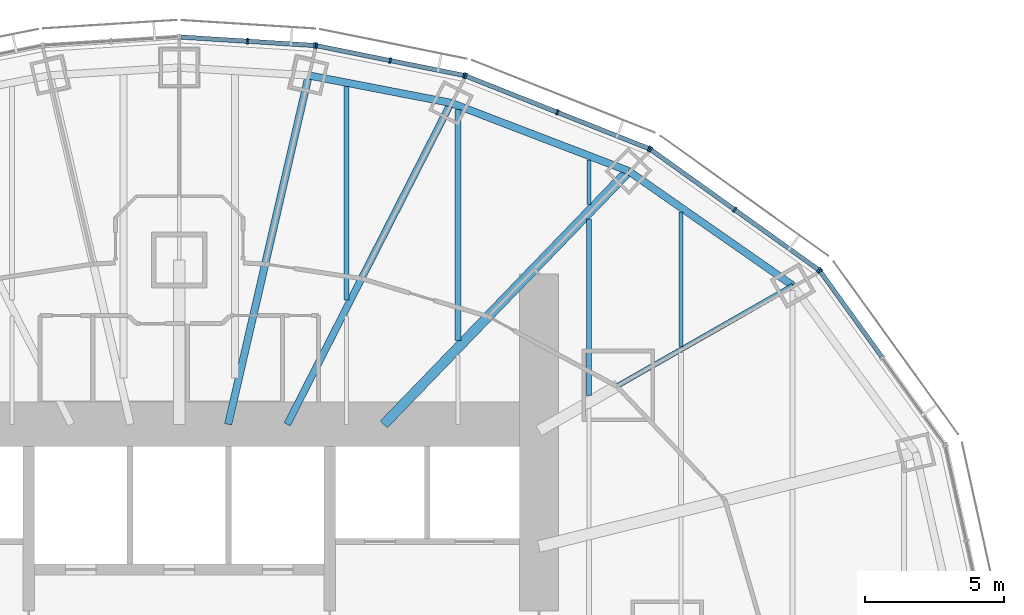
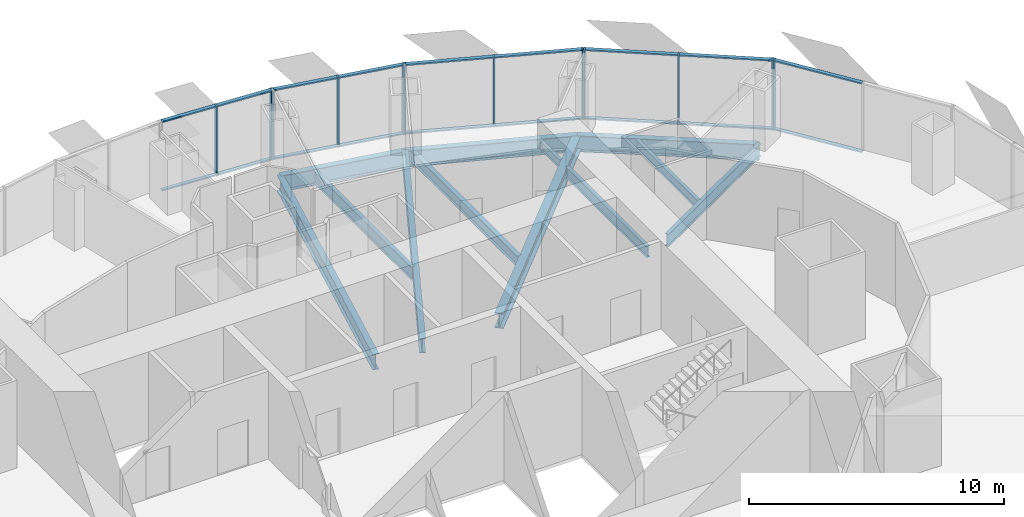
# One storey, part 8 of 18: 30 members, 12 beams, 5 elements without a shape of their own.
"""IFC4 building model written with IfcOpenShell, lengths in metres."""

from ifc_helpers import new_model, si_unit, direction, frame, origin, origin_2d, place, context, subcontext, project, spatial, rectangle, i_section, extrude, material, material_profile, profile_set, type_object, element, aggregate, save


model = new_model("IFC4")

# Units and contexts
model_context = context("Model", 3, precision=1e-05, world=origin(), true_north=direction((0.0, 1.0)))
body_context = subcontext(model_context, "Body", "Model", "MODEL_VIEW")
ifc_project = project(units=[si_unit("LENGTHUNIT", "METRE"), si_unit("AREAUNIT", "SQUARE_METRE"), si_unit("VOLUMEUNIT", "CUBIC_METRE"), si_unit("PLANEANGLEUNIT", "RADIAN"), si_unit("MASSUNIT", "GRAM", prefix="KILO")], contexts=[model_context])

# Site, building, storey
site_placement = place(None, origin())
site = spatial("IfcSite", under=ifc_project, at=site_placement, CompositionType="ELEMENT")
building_placement = place(site_placement, origin())
building = spatial("IfcBuilding", under=site, at=building_placement, Name="Lantaw Convention Tower", CompositionType="ELEMENT")
storey_placement = place(building_placement, frame((0.0, 0.0, 188.800048828125)))
storey = spatial("IfcBuildingStorey", under=building, at=storey_placement, Name="L44", CompositionType="ELEMENT", Elevation=188.800048828125)

# Beams
ifc_material_1 = material(Name="Steel ASTM A992", Category="steel")
ifc_material_profile_1 = material_profile(ifc_material_1, i_section(OverallWidth=0.2666015625, OverallDepth=0.76953125, WebThickness=0.015625, FlangeThickness=0.025390625, FilletRadius=0.0126953125, at=origin_2d()), Name="W30X132")
ifc_profile_set_1 = profile_set([ifc_material_profile_1], Name="Steel ASTM A992")
beam_type_1 = type_object("IfcBeamType", Name="Beam E W30X132", PredefinedType="SPANDREL", material=ifc_profile_set_1)
beam_1_placement = place(storey_placement, frame((22.013916015625, 12.579345703125, -0.534912109375), z_axis=(-0.820310765287, 0.57191804339, 0.0), x_axis=(-0.57191804339, -0.820310765287, 0.0)))
element("IfcBeam", 1, at=beam_1_placement, inside=storey, type_object=beam_type_1, Name="Edge beam 3", PredefinedType="SPANDREL", context=body_context, shape_type="SweptSolid", body=[
    extrude(i_section(OverallWidth=0.2666015625, OverallDepth=0.76953125, WebThickness=0.015625, FlangeThickness=0.025390625, FilletRadius=0.0126953125, at=origin_2d()), origin(), (0.0, 0.0, 1.0), 7.187744140625),
])
beam_2_placement = place(storey_placement, frame((16.11767578125, 16.690185546875, -0.534912109375), z_axis=(-0.933691081977, 0.358079549033, 0.0), x_axis=(-0.358079549033, -0.933691081977, 0.0)))
element("IfcBeam", 2, at=beam_2_placement, inside=storey, type_object=beam_type_1, Name="Edge beam 4", PredefinedType="SPANDREL", context=body_context, shape_type="SweptSolid", body=[
    extrude(i_section(OverallWidth=0.2666015625, OverallDepth=0.76953125, WebThickness=0.015625, FlangeThickness=0.025390625, FilletRadius=0.0126953125, at=origin_2d()), origin(), (0.0, 0.0, 1.0), 6.821533203125),
])
beam_3_placement = place(storey_placement, frame((9.74853515625, 19.1328125, -0.534912109375), z_axis=(-0.981796805654, 0.189934284446, 0.0), x_axis=(-0.189934284446, -0.981796805654, 0.0)))
element("IfcBeam", 3, at=beam_3_placement, inside=storey, type_object=beam_type_1, Name="Edge beam 5", PredefinedType="SPANDREL", context=body_context, shape_type="SweptSolid", body=[
    extrude(i_section(OverallWidth=0.2666015625, OverallDepth=0.76953125, WebThickness=0.015625, FlangeThickness=0.025390625, FilletRadius=0.0126953125, at=origin_2d()), origin(), (0.0, 0.0, 1.0), 5.1982421875),
])
ifc_material_profile_2 = material_profile(ifc_material_1, i_section(OverallWidth=0.177978515625, OverallDepth=0.599365234375, WebThickness=0.010009765625, FlangeThickness=0.012939453125, FilletRadius=0.012939453125, at=origin_2d()), Name="W24X55")
ifc_profile_set_2 = profile_set([ifc_material_profile_2], Name="Steel ASTM A992")
beam_type_2 = type_object("IfcBeamType", Name="Beam G W24X55", PredefinedType="BEAM", material=ifc_profile_set_2)
beam_4_placement = place(storey_placement, frame((15.75, 9.0, -0.44970703125), z_axis=(0.868245224608, 0.496135293993, 0.0), x_axis=(-0.496135293993, 0.868245224608, 0.0)))
element("IfcBeam", 4, at=beam_4_placement, inside=storey, type_object=beam_type_2, Name="Floor girder on ray 3", PredefinedType="BEAM", context=body_context, shape_type="SweptSolid", body=[
    extrude(i_section(OverallWidth=0.177978515625, OverallDepth=0.599365234375, WebThickness=0.010009765625, FlangeThickness=0.012939453125, FilletRadius=0.012939453125, at=origin_2d()), origin(), (0.0, 0.0, 1.0), 7.21435546875),
])
ifc_material_profile_3 = material_profile(ifc_material_1, i_section(OverallWidth=0.25390625, OverallDepth=0.700927734375, WebThickness=0.015380859375, FlangeThickness=0.02783203125, FilletRadius=0.01513671875, at=origin_2d()), Name="W27X129")
ifc_profile_set_3 = profile_set([ifc_material_profile_3], Name="Steel ASTM A992")
beam_type_3 = type_object("IfcBeamType", Name="Beam G W27X129", PredefinedType="BEAM", material=ifc_profile_set_3)
beam_5_placement = place(storey_placement, frame((3.872314453125, 7.60009765625, -0.50048828125), z_axis=(0.453991051051, 0.891006243281, 0.0), x_axis=(-0.891006243281, 0.453991051051, 0.0)))
element("IfcBeam", 5, at=beam_5_placement, inside=storey, type_object=beam_type_3, Name="Floor girder on ray 5", PredefinedType="BEAM", context=body_context, shape_type="SweptSolid", body=[
    extrude(i_section(OverallWidth=0.25390625, OverallDepth=0.700927734375, WebThickness=0.015380859375, FlangeThickness=0.02783203125, FilletRadius=0.01513671875, at=origin_2d()), origin(), (0.0, 0.0, 1.0), 12.943359375),
])
ifc_material_profile_4 = material_profile(ifc_material_1, i_section(OverallWidth=0.360595703125, OverallDepth=0.72900390625, WebThickness=0.023193359375, FlangeThickness=0.041015625, FilletRadius=0.0126953125, at=origin_2d()), Name="W27X235")
ifc_profile_set_4 = profile_set([ifc_material_profile_4], Name="Steel ASTM A992")
beam_type_4 = type_object("IfcBeamType", Name="Beam G W27X235", PredefinedType="BEAM", material=ifc_profile_set_4)
beam_6_placement = place(storey_placement, frame((7.33935546875, 7.60009765625, -0.5146484375), z_axis=(0.694663467407, 0.719334878239, 0.0), x_axis=(-0.719334878239, 0.694663467407, 0.0)))
element("IfcBeam", 6, at=beam_6_placement, inside=storey, type_object=beam_type_4, Name="Floor girder on ray 4", PredefinedType="BEAM", context=body_context, shape_type="SweptSolid", body=[
    extrude(i_section(OverallWidth=0.360595703125, OverallDepth=0.72900390625, WebThickness=0.023193359375, FlangeThickness=0.041015625, FilletRadius=0.0126953125, at=origin_2d()), origin(), (0.0, 0.0, 1.0), 12.63671875),
])
ifc_material_profile_5 = material_profile(ifc_material_1, i_section(OverallWidth=0.2666015625, OverallDepth=0.7568359375, WebThickness=0.013916015625, FlangeThickness=0.019287109375, FilletRadius=0.0126953125, at=origin_2d()), Name="W30X108")
ifc_profile_set_5 = profile_set([ifc_material_profile_5], Name="Steel ASTM A992")
beam_type_5 = type_object("IfcBeamType", Name="Beam G W30X108", PredefinedType="BEAM", material=ifc_profile_set_5)
beam_7_placement = place(storey_placement, frame((1.754638671875, 7.60009765625, -0.528564453125), z_axis=(0.224944153104, 0.974371658036, 0.0), x_axis=(-0.974371658036, 0.224944153104, 0.0)))
element("IfcBeam", 7, at=beam_7_placement, inside=storey, type_object=beam_type_5, Name="Floor girder on ray 6", PredefinedType="BEAM", context=body_context, shape_type="SweptSolid", body=[
    extrude(i_section(OverallWidth=0.2666015625, OverallDepth=0.7568359375, WebThickness=0.013916015625, FlangeThickness=0.019287109375, FilletRadius=0.0126953125, at=origin_2d()), origin(), (0.0, 0.0, 1.0), 12.849365234375),
])
ifc_material_profile_6 = material_profile(ifc_material_1, i_section(OverallWidth=0.140380859375, OverallDepth=0.40380859375, WebThickness=0.007080078125, FlangeThickness=0.01123046875, FilletRadius=0.01025390625, at=origin_2d()), Name="W16X31")
ifc_profile_set_6 = profile_set([ifc_material_profile_6], Name="Steel ASTM A992")
beam_type_6 = type_object("IfcBeamType", Name="Beam J W16X31", PredefinedType="JOIST", material=ifc_profile_set_6)
beam_8_placement = place(storey_placement, frame((14.699951171875, 15.48193359375, -0.35205078125), z_axis=(0.0, 1.0, 0.0), x_axis=(-1.0, 0.0, 0.0)))
element("IfcBeam", 8, at=beam_8_placement, inside=storey, type_object=beam_type_6, Name="Floor joist", PredefinedType="JOIST", context=body_context, shape_type="SweptSolid", body=[
    extrude(i_section(OverallWidth=0.140380859375, OverallDepth=0.40380859375, WebThickness=0.007080078125, FlangeThickness=0.01123046875, FilletRadius=0.01025390625, at=origin_2d()), origin(), (0.0, 0.0, 1.0), 1.609130859375),
])
ifc_material_profile_7 = material_profile(ifc_material_1, i_section(OverallWidth=0.15234375, OverallDepth=0.449462890625, WebThickness=0.007568359375, FlangeThickness=0.0107421875, FilletRadius=0.01025390625, at=origin_2d()), Name="W18X35")
ifc_profile_set_7 = profile_set([ifc_material_profile_7], Name="Steel ASTM A992")
beam_type_7 = type_object("IfcBeamType", Name="Beam J W18X35", PredefinedType="JOIST", material=ifc_profile_set_7)
beam_9_placement = place(storey_placement, frame((18.0, 10.38818359375, -0.374755859375), z_axis=(0.0, 1.0, 0.0), x_axis=(-1.0, 0.0, 0.0)))
element("IfcBeam", 9, at=beam_9_placement, inside=storey, type_object=beam_type_7, Name="Floor joist", PredefinedType="JOIST", context=body_context, shape_type="SweptSolid", body=[
    extrude(i_section(OverallWidth=0.15234375, OverallDepth=0.449462890625, WebThickness=0.007568359375, FlangeThickness=0.0107421875, FilletRadius=0.01025390625, at=origin_2d()), origin(), (0.0, 0.0, 1.0), 4.8271484375),
])
ifc_material_profile_8 = material_profile(ifc_material_1, i_section(OverallWidth=0.1650390625, OverallDepth=0.52587890625, WebThickness=0.0087890625, FlangeThickness=0.011474609375, FilletRadius=0.0126953125, at=origin_2d()), Name="W21X44")
ifc_profile_set_8 = profile_set([ifc_material_profile_8], Name="Steel ASTM A992")
beam_type_8 = type_object("IfcBeamType", Name="Beam J W21X44", PredefinedType="JOIST", material=ifc_profile_set_8)
beam_10_placement = place(storey_placement, frame((14.699951171875, 8.632568359375, -0.412841796875), z_axis=(0.0, 1.0, 0.0), x_axis=(-1.0, 0.0, 0.0)))
element("IfcBeam", 10, at=beam_10_placement, inside=storey, type_object=beam_type_8, Name="Floor joist", PredefinedType="JOIST", context=body_context, shape_type="SweptSolid", body=[
    extrude(i_section(OverallWidth=0.1650390625, OverallDepth=0.52587890625, WebThickness=0.0087890625, FlangeThickness=0.011474609375, FilletRadius=0.0126953125, at=origin_2d()), origin(), (0.0, 0.0, 1.0), 6.330078125),
])
ifc_material_profile_9 = material_profile(ifc_material_1, i_section(OverallWidth=0.2099609375, OverallDepth=0.535888671875, WebThickness=0.010986328125, FlangeThickness=0.017333984375, FilletRadius=0.012939453125, at=origin_2d()), Name="W21X68")
ifc_profile_set_9 = profile_set([ifc_material_profile_9], Name="Steel ASTM A992")
beam_type_9 = type_object("IfcBeamType", Name="Beam J W21X68", PredefinedType="JOIST", material=ifc_profile_set_9)
beam_11_placement = place(storey_placement, frame((10.0, 10.614990234375, -0.41796875), z_axis=(0.0, 1.0, 0.0), x_axis=(-1.0, 0.0, 0.0)))
element("IfcBeam", 11, at=beam_11_placement, inside=storey, type_object=beam_type_9, Name="Floor joist", PredefinedType="JOIST", context=body_context, shape_type="SweptSolid", body=[
    extrude(i_section(OverallWidth=0.2099609375, OverallDepth=0.535888671875, WebThickness=0.010986328125, FlangeThickness=0.017333984375, FilletRadius=0.012939453125, at=origin_2d()), origin(), (0.0, 0.0, 1.0), 8.278564453125),
])
ifc_material_profile_10 = material_profile(ifc_material_1, i_section(OverallWidth=0.177978515625, OverallDepth=0.599365234375, WebThickness=0.010009765625, FlangeThickness=0.012939453125, FilletRadius=0.012939453125, at=origin_2d()), Name="W24X55")
ifc_profile_set_10 = profile_set([ifc_material_profile_10], Name="Steel ASTM A992")
beam_type_10 = type_object("IfcBeamType", Name="Beam J W24X55", PredefinedType="JOIST", material=ifc_profile_set_10)
beam_12_placement = place(storey_placement, frame((6.0, 12.055419921875, -0.44970703125), z_axis=(0.0, 1.0, 0.0), x_axis=(-1.0, 0.0, 0.0)))
element("IfcBeam", 12, at=beam_12_placement, inside=storey, type_object=beam_type_10, Name="Floor joist", PredefinedType="JOIST", context=body_context, shape_type="SweptSolid", body=[
    extrude(i_section(OverallWidth=0.177978515625, OverallDepth=0.599365234375, WebThickness=0.010009765625, FlangeThickness=0.012939453125, FilletRadius=0.012939453125, at=origin_2d()), origin(), (0.0, 0.0, 1.0), 7.666748046875),
])

# Curtain wall, member
ifc_material_2 = material(Name="Aluminium framed curtain wall", Category="aluminium")
curtain_wall_type = type_object("IfcCurtainWallType", Name="Office curtain wall low rise, pale aluminium", PredefinedType="USERDEFINED", material=ifc_material_2)
curtain_wall_1_placement = place(storey_placement, origin())
curtain_wall_1 = element("IfcCurtainWall", 13, at=curtain_wall_1_placement, inside=storey, type_object=curtain_wall_type, Name="Office curtain wall low rise, pale aluminium L44", ObjectType="UNITISED CURTAIN WALL", PredefinedType="USERDEFINED")
ifc_material_3 = material(Name="Aluminium 6063-T6", Category="aluminium")
ifc_material_profile_11 = material_profile(ifc_material_3, rectangle(XDim=0.199951171875, YDim=0.06494140625, at=origin_2d()), Name="CW-O1 mullion 65x200")
ifc_profile_set_11 = profile_set([ifc_material_profile_11], Name="Aluminium 6063-T6")
member_type_1 = type_object("IfcMemberType", Name="CW-O1 mullion 65x200", PredefinedType="MULLION", material=ifc_profile_set_11)
member_1_placement = place(storey_placement, frame((22.988037109375, 13.098876953125, -0.150146484375), z_axis=(0.0, 0.0, 1.0), x_axis=(-0.811384633629, -0.584512597221, 0.0)))
member_1 = element("IfcMember", 14, at=member_1_placement, type_object=member_type_1, Name="CW-O1 mullion 3", PredefinedType="MULLION", context=body_context, shape_type="SweptSolid", body=[
    extrude(rectangle(XDim=0.199951171875, YDim=0.06494140625, at=origin_2d()), origin(), (0.0, 0.0, 1.0), 3.35009765625),
])

# Curtain wall, members
curtain_wall_2_placement = place(storey_placement, origin())
curtain_wall_2 = element("IfcCurtainWall", 15, at=curtain_wall_2_placement, inside=storey, type_object=curtain_wall_type, Name="Office curtain wall low rise, pale aluminium L44", ObjectType="UNITISED CURTAIN WALL", PredefinedType="USERDEFINED")
member_2_placement = place(storey_placement, frame((22.942626953125, 13.14404296875, -0.150146484375), z_axis=(0.0, 0.0, 1.0), x_axis=(-0.581972695693, -0.813208325995, 0.0)))
member_2 = element("IfcMember", 16, at=member_2_placement, type_object=member_type_1, Name="CW-O1 mullion 1", PredefinedType="MULLION", context=body_context, shape_type="SweptSolid", body=[
    extrude(rectangle(XDim=0.199951171875, YDim=0.06494140625, at=origin_2d()), origin(), (0.0, 0.0, 1.0), 3.35009765625),
])
member_3_placement = place(storey_placement, frame((19.92529296875, 15.303466796875, -0.150146484375), z_axis=(0.0, 0.0, 1.0), x_axis=(-0.581972695693, -0.813208325995, 0.0)))
member_3 = element("IfcMember", 17, at=member_3_placement, type_object=member_type_1, Name="CW-O1 mullion 2", PredefinedType="MULLION", context=body_context, shape_type="SweptSolid", body=[
    extrude(rectangle(XDim=0.199951171875, YDim=0.06494140625, at=origin_2d()), origin(), (0.0, 0.0, 1.0), 3.35009765625),
])
member_4_placement = place(storey_placement, frame((16.908203125, 17.462646484375, -0.150146484375), z_axis=(0.0, 0.0, 1.0), x_axis=(-0.581972695693, -0.813208325995, 0.0)))
member_4 = element("IfcMember", 18, at=member_4_placement, type_object=member_type_1, Name="CW-O1 mullion 3", PredefinedType="MULLION", context=body_context, shape_type="SweptSolid", body=[
    extrude(rectangle(XDim=0.199951171875, YDim=0.06494140625, at=origin_2d()), origin(), (0.0, 0.0, 1.0), 3.35009765625),
])

curtain_wall_3_placement = place(storey_placement, origin())
curtain_wall_3 = element("IfcCurtainWall", 19, at=curtain_wall_3_placement, inside=storey, type_object=curtain_wall_type, Name="Office curtain wall low rise, pale aluminium L44", ObjectType="UNITISED CURTAIN WALL", PredefinedType="USERDEFINED")
member_5_placement = place(storey_placement, frame((16.8515625, 17.49365234375, -0.150146484375), z_axis=(0.0, 0.0, 1.0), x_axis=(-0.368701907483, -0.929547687544, 0.0)))
member_5 = element("IfcMember", 20, at=member_5_placement, type_object=member_type_1, Name="CW-O1 mullion 1", PredefinedType="MULLION", context=body_context, shape_type="SweptSolid", body=[
    extrude(rectangle(XDim=0.199951171875, YDim=0.06494140625, at=origin_2d()), origin(), (0.0, 0.0, 1.0), 3.35009765625),
])
member_6_placement = place(storey_placement, frame((13.56494140625, 18.797119140625, -0.150146484375), z_axis=(0.0, 0.0, 1.0), x_axis=(-0.368701907483, -0.929547687544, 0.0)))
member_6 = element("IfcMember", 21, at=member_6_placement, type_object=member_type_1, Name="CW-O1 mullion 2", PredefinedType="MULLION", context=body_context, shape_type="SweptSolid", body=[
    extrude(rectangle(XDim=0.199951171875, YDim=0.06494140625, at=origin_2d()), origin(), (0.0, 0.0, 1.0), 3.35009765625),
])
member_7_placement = place(storey_placement, frame((10.2783203125, 20.100830078125, -0.150146484375), z_axis=(0.0, 0.0, 1.0), x_axis=(-0.368701907483, -0.929547687544, 0.0)))
member_7 = element("IfcMember", 22, at=member_7_placement, type_object=member_type_1, Name="CW-O1 mullion 3", PredefinedType="MULLION", context=body_context, shape_type="SweptSolid", body=[
    extrude(rectangle(XDim=0.199951171875, YDim=0.06494140625, at=origin_2d()), origin(), (0.0, 0.0, 1.0), 3.35009765625),
])

curtain_wall_4_placement = place(storey_placement, origin())
curtain_wall_4 = element("IfcCurtainWall", 23, at=curtain_wall_4_placement, inside=storey, type_object=curtain_wall_type, Name="Office curtain wall low rise, pale aluminium L44", ObjectType="UNITISED CURTAIN WALL", PredefinedType="USERDEFINED")
member_8_placement = place(storey_placement, frame((10.216064453125, 20.119140625, -0.150146484375), z_axis=(0.0, 0.0, 1.0), x_axis=(-0.197506809659, -0.980301514912, 0.0)))
member_8 = element("IfcMember", 24, at=member_8_placement, type_object=member_type_1, Name="CW-O1 mullion 1", PredefinedType="MULLION", context=body_context, shape_type="SweptSolid", body=[
    extrude(rectangle(XDim=0.199951171875, YDim=0.06494140625, at=origin_2d()), origin(), (0.0, 0.0, 1.0), 3.35009765625),
])
member_9_placement = place(storey_placement, frame((7.5703125, 20.65234375, -0.150146484375), z_axis=(0.0, 0.0, 1.0), x_axis=(-0.197506809659, -0.980301514912, 0.0)))
member_9 = element("IfcMember", 25, at=member_9_placement, type_object=member_type_1, Name="CW-O1 mullion 2", PredefinedType="MULLION", context=body_context, shape_type="SweptSolid", body=[
    extrude(rectangle(XDim=0.199951171875, YDim=0.06494140625, at=origin_2d()), origin(), (0.0, 0.0, 1.0), 3.35009765625),
])
member_10_placement = place(storey_placement, frame((4.92431640625, 21.185302734375, -0.150146484375), z_axis=(0.0, 0.0, 1.0), x_axis=(-0.197506809659, -0.980301514912, 0.0)))
member_10 = element("IfcMember", 26, at=member_10_placement, type_object=member_type_1, Name="CW-O1 mullion 3", PredefinedType="MULLION", context=body_context, shape_type="SweptSolid", body=[
    extrude(rectangle(XDim=0.199951171875, YDim=0.06494140625, at=origin_2d()), origin(), (0.0, 0.0, 1.0), 3.35009765625),
])

curtain_wall_5_placement = place(storey_placement, origin())
curtain_wall_5 = element("IfcCurtainWall", 27, at=curtain_wall_5_placement, inside=storey, type_object=curtain_wall_type, Name="Office curtain wall low rise, pale aluminium L44", ObjectType="UNITISED CURTAIN WALL", PredefinedType="USERDEFINED")
member_11_placement = place(storey_placement, frame((4.860107421875, 21.19384765625, -0.150146484375), z_axis=(0.0, 0.0, 1.0), x_axis=(-0.062865059466, -0.998022035978, 0.0)))
member_11 = element("IfcMember", 28, at=member_11_placement, type_object=member_type_1, Name="CW-O1 mullion 1", PredefinedType="MULLION", context=body_context, shape_type="SweptSolid", body=[
    extrude(rectangle(XDim=0.199951171875, YDim=0.06494140625, at=origin_2d()), origin(), (0.0, 0.0, 1.0), 3.35009765625),
])
member_12_placement = place(storey_placement, frame((2.4462890625, 21.345947265625, -0.150146484375), z_axis=(0.0, 0.0, 1.0), x_axis=(-0.062865059466, -0.998022035978, 0.0)))
member_12 = element("IfcMember", 29, at=member_12_placement, type_object=member_type_1, Name="CW-O1 mullion 2", PredefinedType="MULLION", context=body_context, shape_type="SweptSolid", body=[
    extrude(rectangle(XDim=0.199951171875, YDim=0.06494140625, at=origin_2d()), origin(), (0.0, 0.0, 1.0), 3.35009765625),
])

# Member
ifc_material_profile_12 = material_profile(ifc_material_3, rectangle(XDim=0.159912109375, YDim=0.06494140625, at=origin_2d()), Name="CW-O1 transom 65x160")
ifc_profile_set_12 = profile_set([ifc_material_profile_12], Name="Aluminium 6063-T6")
member_type_2 = type_object("IfcMemberType", Name="CW-O1 transom 65x160", PredefinedType="USERDEFINED", material=ifc_profile_set_12)
member_13_placement = place(storey_placement, frame((25.209228515625, 10.015625, -0.117431640625), z_axis=(-0.584512973979, 0.811384362217, 0.0), x_axis=(-0.811384362217, -0.584512973979, 0.0)))
member_13 = element("IfcMember", 30, at=member_13_placement, type_object=member_type_2, Name="CW-O1 transom 2.1", ObjectType="TRANSOM", PredefinedType="USERDEFINED", context=body_context, shape_type="SweptSolid", body=[
    extrude(rectangle(XDim=0.159912109375, YDim=0.06494140625, at=origin_2d()), origin(), (0.0, 0.0, 1.0), 3.767578125),
])

member_14_placement = place(storey_placement, frame((25.209228515625, 10.015625, 3.16748046875), z_axis=(-0.584512973979, 0.811384362217, 0.0), x_axis=(-0.811384362217, -0.584512973979, 0.0)))
member_14 = element("IfcMember", 31, at=member_14_placement, type_object=member_type_2, Name="CW-O1 transom 2.2", ObjectType="TRANSOM", PredefinedType="USERDEFINED", context=body_context, shape_type="SweptSolid", body=[
    extrude(rectangle(XDim=0.159912109375, YDim=0.06494140625, at=origin_2d()), origin(), (0.0, 0.0, 1.0), 3.767578125),
])

aggregate(curtain_wall_1, [member_1, member_13, member_14])

member_15_placement = place(storey_placement, frame((22.916259765625, 13.1630859375, -0.117431640625), z_axis=(-0.813221785972, 0.581953887194, 0.0), x_axis=(-0.581953887194, -0.813221785972, 0.0)))
member_15 = element("IfcMember", 32, at=member_15_placement, type_object=member_type_2, Name="CW-O1 transom 1.1", ObjectType="TRANSOM", PredefinedType="USERDEFINED", context=body_context, shape_type="SweptSolid", body=[
    extrude(rectangle(XDim=0.159912109375, YDim=0.06494140625, at=origin_2d()), origin(), (0.0, 0.0, 1.0), 3.645263671875),
])

member_16_placement = place(storey_placement, frame((22.916259765625, 13.1630859375, 3.16748046875), z_axis=(-0.813221785972, 0.581953887194, 0.0), x_axis=(-0.581953887194, -0.813221785972, 0.0)))
member_16 = element("IfcMember", 33, at=member_16_placement, type_object=member_type_2, Name="CW-O1 transom 1.2", ObjectType="TRANSOM", PredefinedType="USERDEFINED", context=body_context, shape_type="SweptSolid", body=[
    extrude(rectangle(XDim=0.159912109375, YDim=0.06494140625, at=origin_2d()), origin(), (0.0, 0.0, 1.0), 3.645263671875),
])

member_17_placement = place(storey_placement, frame((19.89892578125, 15.322265625, -0.117431640625), z_axis=(-0.813190089133, 0.581998177777, 0.0), x_axis=(-0.581998177777, -0.813190089133, 0.0)))
member_17 = element("IfcMember", 34, at=member_17_placement, type_object=member_type_2, Name="CW-O1 transom 2.1", ObjectType="TRANSOM", PredefinedType="USERDEFINED", context=body_context, shape_type="SweptSolid", body=[
    extrude(rectangle(XDim=0.159912109375, YDim=0.06494140625, at=origin_2d()), origin(), (0.0, 0.0, 1.0), 3.645263671875),
])

member_18_placement = place(storey_placement, frame((19.89892578125, 15.322265625, 3.16748046875), z_axis=(-0.813190089133, 0.581998177777, 0.0), x_axis=(-0.581998177777, -0.813190089133, 0.0)))
member_18 = element("IfcMember", 35, at=member_18_placement, type_object=member_type_2, Name="CW-O1 transom 2.2", ObjectType="TRANSOM", PredefinedType="USERDEFINED", context=body_context, shape_type="SweptSolid", body=[
    extrude(rectangle(XDim=0.159912109375, YDim=0.06494140625, at=origin_2d()), origin(), (0.0, 0.0, 1.0), 3.645263671875),
])

aggregate(curtain_wall_2, [member_2, member_3, member_4, member_15, member_16, member_17, member_18])

member_19_placement = place(storey_placement, frame((16.8212890625, 17.505615234375, -0.117431640625), z_axis=(-0.929564188507, 0.368660303592, 0.0), x_axis=(-0.368660303592, -0.929564188507, 0.0)))
member_19 = element("IfcMember", 36, at=member_19_placement, type_object=member_type_2, Name="CW-O1 transom 1.1", ObjectType="TRANSOM", PredefinedType="USERDEFINED", context=body_context, shape_type="SweptSolid", body=[
    extrude(rectangle(XDim=0.159912109375, YDim=0.06494140625, at=origin_2d()), origin(), (0.0, 0.0, 1.0), 3.470703125),
])

member_20_placement = place(storey_placement, frame((16.8212890625, 17.505615234375, 3.16748046875), z_axis=(-0.929564188507, 0.368660303592, 0.0), x_axis=(-0.368660303592, -0.929564188507, 0.0)))
member_20 = element("IfcMember", 37, at=member_20_placement, type_object=member_type_2, Name="CW-O1 transom 1.2", ObjectType="TRANSOM", PredefinedType="USERDEFINED", context=body_context, shape_type="SweptSolid", body=[
    extrude(rectangle(XDim=0.159912109375, YDim=0.06494140625, at=origin_2d()), origin(), (0.0, 0.0, 1.0), 3.470703125),
])

member_21_placement = place(storey_placement, frame((13.53466796875, 18.80908203125, -0.117431640625), z_axis=(-0.929540081544, 0.368721082668, 0.0), x_axis=(-0.368721082668, -0.929540081544, 0.0)))
member_21 = element("IfcMember", 38, at=member_21_placement, type_object=member_type_2, Name="CW-O1 transom 2.1", ObjectType="TRANSOM", PredefinedType="USERDEFINED", context=body_context, shape_type="SweptSolid", body=[
    extrude(rectangle(XDim=0.159912109375, YDim=0.06494140625, at=origin_2d()), origin(), (0.0, 0.0, 1.0), 3.470947265625),
])

member_22_placement = place(storey_placement, frame((13.53466796875, 18.80908203125, 3.16748046875), z_axis=(-0.929540081544, 0.368721082668, 0.0), x_axis=(-0.368721082668, -0.929540081544, 0.0)))
member_22 = element("IfcMember", 39, at=member_22_placement, type_object=member_type_2, Name="CW-O1 transom 2.2", ObjectType="TRANSOM", PredefinedType="USERDEFINED", context=body_context, shape_type="SweptSolid", body=[
    extrude(rectangle(XDim=0.159912109375, YDim=0.06494140625, at=origin_2d()), origin(), (0.0, 0.0, 1.0), 3.470947265625),
])

aggregate(curtain_wall_3, [member_5, member_6, member_7, member_19, member_20, member_21, member_22])

member_23_placement = place(storey_placement, frame((10.184326171875, 20.125732421875, -0.117431640625), z_axis=(-0.980301643003, 0.197506173891, 0.0), x_axis=(-0.197506173891, -0.980301643003, 0.0)))
member_23 = element("IfcMember", 40, at=member_23_placement, type_object=member_type_2, Name="CW-O1 transom 1.1", ObjectType="TRANSOM", PredefinedType="USERDEFINED", context=body_context, shape_type="SweptSolid", body=[
    extrude(rectangle(XDim=0.159912109375, YDim=0.06494140625, at=origin_2d()), origin(), (0.0, 0.0, 1.0), 2.63427734375),
])

member_24_placement = place(storey_placement, frame((10.184326171875, 20.125732421875, 3.16748046875), z_axis=(-0.980301643003, 0.197506173891, 0.0), x_axis=(-0.197506173891, -0.980301643003, 0.0)))
member_24 = element("IfcMember", 41, at=member_24_placement, type_object=member_type_2, Name="CW-O1 transom 1.2", ObjectType="TRANSOM", PredefinedType="USERDEFINED", context=body_context, shape_type="SweptSolid", body=[
    extrude(rectangle(XDim=0.159912109375, YDim=0.06494140625, at=origin_2d()), origin(), (0.0, 0.0, 1.0), 2.63427734375),
])

member_25_placement = place(storey_placement, frame((7.538330078125, 20.65869140625, -0.117431640625), z_axis=(-0.980298027092, 0.197524120247, 0.0), x_axis=(-0.197524120247, -0.980298027092, 0.0)))
member_25 = element("IfcMember", 42, at=member_25_placement, type_object=member_type_2, Name="CW-O1 transom 2.1", ObjectType="TRANSOM", PredefinedType="USERDEFINED", context=body_context, shape_type="SweptSolid", body=[
    extrude(rectangle(XDim=0.159912109375, YDim=0.06494140625, at=origin_2d()), origin(), (0.0, 0.0, 1.0), 2.634033203125),
])

member_26_placement = place(storey_placement, frame((7.538330078125, 20.65869140625, 3.16748046875), z_axis=(-0.980298027092, 0.197524120247, 0.0), x_axis=(-0.197524120247, -0.980298027092, 0.0)))
member_26 = element("IfcMember", 43, at=member_26_placement, type_object=member_type_2, Name="CW-O1 transom 2.2", ObjectType="TRANSOM", PredefinedType="USERDEFINED", context=body_context, shape_type="SweptSolid", body=[
    extrude(rectangle(XDim=0.159912109375, YDim=0.06494140625, at=origin_2d()), origin(), (0.0, 0.0, 1.0), 2.634033203125),
])

aggregate(curtain_wall_4, [member_8, member_9, member_10, member_23, member_24, member_25, member_26])

member_27_placement = place(storey_placement, frame((4.82763671875, 21.19580078125, -0.117431640625), z_axis=(-0.998022188463, 0.062862638625, 0.0), x_axis=(-0.062862638625, -0.998022188463, 0.0)))
member_27 = element("IfcMember", 44, at=member_27_placement, type_object=member_type_2, Name="CW-O1 transom 1.1", ObjectType="TRANSOM", PredefinedType="USERDEFINED", context=body_context, shape_type="SweptSolid", body=[
    extrude(rectangle(XDim=0.159912109375, YDim=0.06494140625, at=origin_2d()), origin(), (0.0, 0.0, 1.0), 2.353515625),
])

member_28_placement = place(storey_placement, frame((4.82763671875, 21.19580078125, 3.16748046875), z_axis=(-0.998022188463, 0.062862638625, 0.0), x_axis=(-0.062862638625, -0.998022188463, 0.0)))
member_28 = element("IfcMember", 45, at=member_28_placement, type_object=member_type_2, Name="CW-O1 transom 1.2", ObjectType="TRANSOM", PredefinedType="USERDEFINED", context=body_context, shape_type="SweptSolid", body=[
    extrude(rectangle(XDim=0.159912109375, YDim=0.06494140625, at=origin_2d()), origin(), (0.0, 0.0, 1.0), 2.353515625),
])

member_29_placement = place(storey_placement, frame((2.413818359375, 21.347900390625, -0.117431640625), z_axis=(-0.998022188463, 0.062862638625, 0.0), x_axis=(-0.062862638625, -0.998022188463, 0.0)))
member_29 = element("IfcMember", 46, at=member_29_placement, type_object=member_type_2, Name="CW-O1 transom 2.1", ObjectType="TRANSOM", PredefinedType="USERDEFINED", context=body_context, shape_type="SweptSolid", body=[
    extrude(rectangle(XDim=0.159912109375, YDim=0.06494140625, at=origin_2d()), origin(), (0.0, 0.0, 1.0), 2.353515625),
])

member_30_placement = place(storey_placement, frame((2.413818359375, 21.347900390625, 3.16748046875), z_axis=(-0.998022188463, 0.062862638625, 0.0), x_axis=(-0.062862638625, -0.998022188463, 0.0)))
member_30 = element("IfcMember", 47, at=member_30_placement, type_object=member_type_2, Name="CW-O1 transom 2.2", ObjectType="TRANSOM", PredefinedType="USERDEFINED", context=body_context, shape_type="SweptSolid", body=[
    extrude(rectangle(XDim=0.159912109375, YDim=0.06494140625, at=origin_2d()), origin(), (0.0, 0.0, 1.0), 2.353515625),
])

aggregate(curtain_wall_5, [member_11, member_12, member_27, member_28, member_29, member_30])

save(model, "model.ifc")
